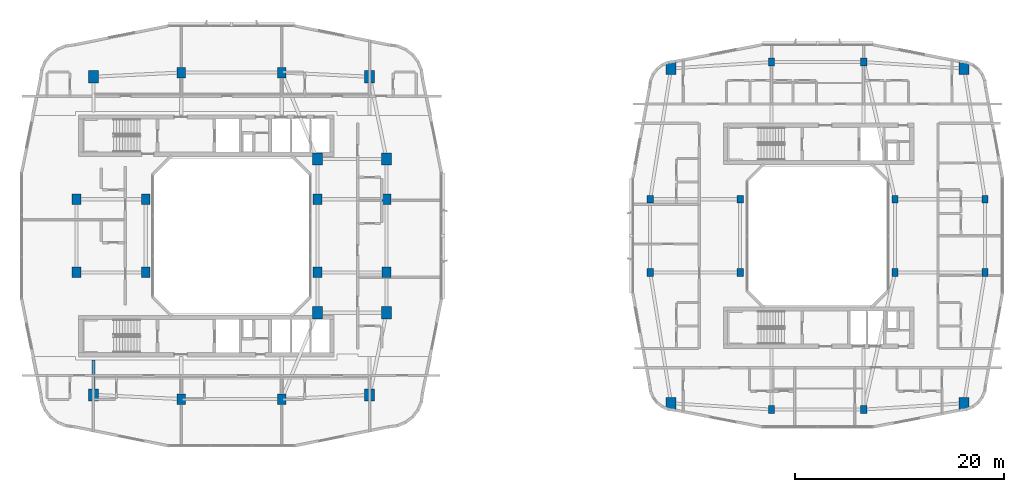
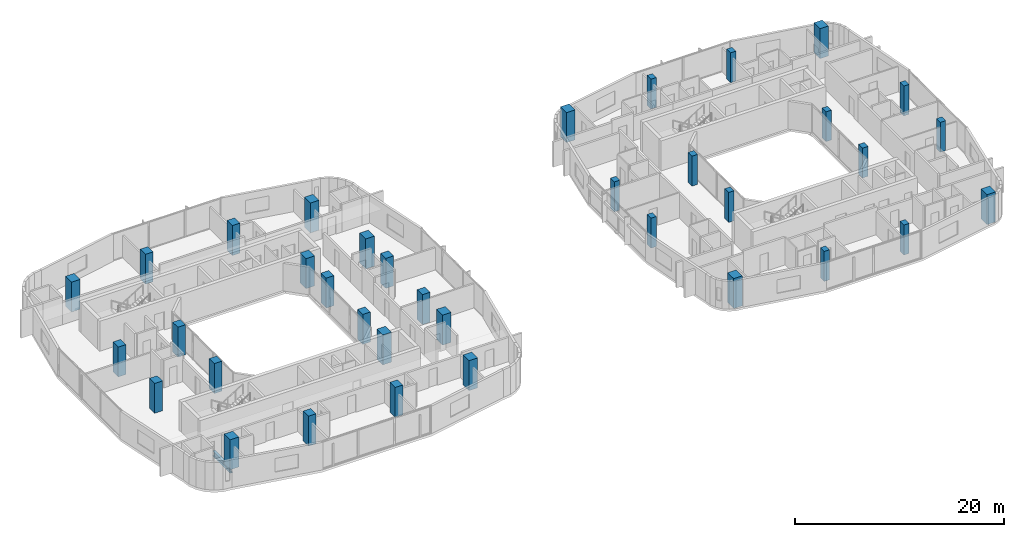
# One storey, part 1 of 26: 36 columns, 1 beam.
"""IFC4 building model written with IfcOpenShell, lengths in metres."""

import ifcopenshell
import ifcopenshell.guid

model = None  # the IFC model being written
_history = None  # IfcOwnerHistory: only IFC2X3 demands one
_inside = {}  # id of a spatial element -> (the spatial element, [elements in it])
_under = {}  # id of a project, library or spatial element -> (it, [spatial elements below it])
_declared = {}  # id of a project -> (the project, [libraries it declares])
_typed = {}  # id of a type object -> (the type object, [elements of that type])
_made_of = {}  # id of a material, layer set ... -> (it, [elements and type objects made of it])


def new_model(schema):
    """Start an empty IFC model of exactly this schema.

    Asked for "IFC4X3", IfcOpenShell would pick the latest addendum, in which some entities
    have other attributes; the version numbers below select the first issue.
    IFC2X3 requires an IfcOwnerHistory on every rooted entity: one is made here for all.
    """
    global model, _history
    if schema == "IFC4X3":
        model = ifcopenshell.file(schema_version=(4, 3, 0, 0))
    else:
        model = ifcopenshell.file(schema=schema)
    _inside.clear()
    _under.clear()
    _declared.clear()
    _typed.clear()
    _made_of.clear()
    _history = None
    if model.schema == "IFC2X3":
        org = make("IfcOrganization", Name="unknown")
        user = make(
            "IfcPersonAndOrganization",
            ThePerson=make("IfcPerson", FamilyName="unknown"),
            TheOrganization=org,
        )
        app = make(
            "IfcApplication",
            ApplicationDeveloper=org,
            Version="unknown",
            ApplicationFullName="unknown",
            ApplicationIdentifier="unknown",
        )
        _history = make(
            "IfcOwnerHistory",
            OwningUser=user,
            OwningApplication=app,
            ChangeAction="ADDED",
            CreationDate=0,
        )
    return model


def make(cls, **values):
    """One entity of the class cls with the attributes given. An attribute that is None is left unset."""
    return model.create_entity(
        cls, **{name: value for name, value in values.items() if value is not None}
    )


def rooted(cls, **values):
    """An entity with a GlobalId (a new one), such as an element, a storey or a relation."""
    return make(cls, GlobalId=ifcopenshell.guid.new(), OwnerHistory=_history, **values)


def si_unit(unit_type, name, prefix=None):
    """IfcSIUnit, for example si_unit("LENGTHUNIT", "METRE", prefix="MILLI")."""
    return make("IfcSIUnit", UnitType=unit_type, Prefix=prefix, Name=name)


def derived_unit(unit_type, elements):
    """IfcDerivedUnit: a product of units, each with its exponent."""
    return make(
        "IfcDerivedUnit",
        Elements=[
            make("IfcDerivedUnitElement", Unit=unit, Exponent=power)
            for unit, power in elements
        ],
        UnitType=unit_type,
    )


def assignment(units):
    """IfcUnitAssignment: the units of a project."""
    return None if units is None else make("IfcUnitAssignment", Units=units)


def point(xyz):
    """IfcCartesianPoint."""
    return None if xyz is None else make("IfcCartesianPoint", Coordinates=xyz)


def direction(xyz):
    """IfcDirection."""
    return None if xyz is None else make("IfcDirection", DirectionRatios=xyz)


def frame(location, z_axis=None, x_axis=None):
    """IfcAxis2Placement3D, a coordinate frame: its origin and axes. An axis left out is left unset."""
    return make(
        "IfcAxis2Placement3D",
        Location=point(location),
        Axis=direction(z_axis),
        RefDirection=direction(x_axis),
    )


def frame_2d(location, x_axis=None):
    """IfcAxis2Placement2D, a coordinate frame in the plane: its origin and x axis."""
    return make(
        "IfcAxis2Placement2D", Location=point(location), RefDirection=direction(x_axis)
    )


def origin():
    """The frame at (0, 0, 0) with its axes left unset."""
    return frame((0.0, 0.0, 0.0))


def origin_2d():
    """The frame at (0, 0) in the plane with its x axis left unset."""
    return frame_2d((0.0, 0.0))


def place(relative_to, where):
    """IfcLocalPlacement: puts the frame where relative to a parent placement (None: the world)."""
    return make(
        "IfcLocalPlacement", PlacementRelTo=relative_to, RelativePlacement=where
    )


def context(
    kind, dimensions, precision=None, world=None, true_north=None, identifier=None
):
    """IfcGeometricRepresentationContext, for example the 3D "Model" context."""
    return make(
        "IfcGeometricRepresentationContext",
        ContextIdentifier=identifier,
        ContextType=kind,
        CoordinateSpaceDimension=dimensions,
        Precision=precision,
        WorldCoordinateSystem=world,
        TrueNorth=true_north,
    )


def subcontext(parent, identifier, kind, view, scale=None):
    """IfcGeometricRepresentationSubContext, for example "Body" below "Model"."""
    return make(
        "IfcGeometricRepresentationSubContext",
        ContextIdentifier=identifier,
        ContextType=kind,
        ParentContext=parent,
        TargetScale=scale,
        TargetView=view,
    )


def project(units=None, contexts=None):
    """IfcProject with its units and contexts."""
    return rooted(
        "IfcProject",
        Name="project",
        RepresentationContexts=contexts,
        UnitsInContext=assignment(units),
    )


def spatial(cls, under=None, at=None, **own):
    """A site, building, storey or space (cls), placed at a placement, below another one or the project."""
    s = rooted(cls, ObjectPlacement=at, **own)
    if under is not None:
        _under.setdefault(under.id(), (under, []))[1].append(s)
    return s


def profile(cls, at=None, kind="AREA", **sizes):
    """A parametric profile (cls). Its sizes go by their IFC names, for example OverallWidth=200.0."""
    return make(cls, ProfileType=kind, Position=at, **sizes)


def rectangle(**sizes):
    """IfcRectangleProfileDef."""
    return profile("IfcRectangleProfileDef", **sizes)


def i_section(**sizes):
    """IfcIShapeProfileDef."""
    return profile("IfcIShapeProfileDef", **sizes)


def extrude(swept, where, along, depth):
    """IfcExtrudedAreaSolid: the profile swept, set in the frame where, extruded along a direction by depth."""
    return make(
        "IfcExtrudedAreaSolid",
        SweptArea=swept,
        Position=where,
        ExtrudedDirection=direction(along),
        Depth=depth,
    )


def shape(context_of_items, identifier, shape_type, items):
    """IfcShapeRepresentation: the items that make up one representation, for example the "Body"."""
    return make(
        "IfcShapeRepresentation",
        ContextOfItems=context_of_items,
        RepresentationIdentifier=identifier,
        RepresentationType=shape_type,
        Items=items,
    )


def material(Name=None, Category=None):
    """IfcMaterial."""
    return make("IfcMaterial", Name=Name, Category=Category)


def material_profile(
    of_material, cross_section, Name=None, Category=None, Priority=None
):
    """IfcMaterialProfile: a cross section and its material."""
    return make(
        "IfcMaterialProfile",
        Name=Name,
        Material=of_material,
        Profile=cross_section,
        Priority=Priority,
        Category=Category,
    )


def profile_set(profiles, Name=None, composite=None):
    """IfcMaterialProfileSet."""
    return make(
        "IfcMaterialProfileSet",
        Name=Name,
        MaterialProfiles=profiles,
        CompositeProfile=composite,
    )


def made_of(thing, what):
    """Note that an element or type object is made of a material, layer set ...; save() writes the relation."""
    if what is not None:
        _made_of.setdefault(what.id(), (what, []))[1].append(thing)
    return thing


def type_object(cls, material=None, **own):
    """A type object (cls), such as IfcWallType, which elements share."""
    return made_of(rooted(cls, **own), material)


def element(
    cls,
    number,
    at=None,
    inside=None,
    cuts=None,
    type_object=None,
    material=None,
    context=None,
    identifier="Body",
    shape_type=None,
    held_by="IfcProductDefinitionShape",
    body=None,
    shapes=None,
    **own,
):
    """One element of the class cls, such as IfcWall. Its Tag is "e" and its number.

    at: its placement. inside: the storey or other place that contains it. cuts: it is an
    opening in that element (IfcRelVoidsElement). A single representation is given by context,
    identifier, shape_type and body (its items); several are given by shapes. held_by: the class
    of the entity that holds the representations. save() writes the other relations.
    """
    e = rooted(cls, Tag="e%d" % number, ObjectPlacement=at, **own)
    if body is not None:
        shapes = [shape(context, identifier, shape_type, body)]
    if shapes is not None:
        e.Representation = make(held_by, Representations=shapes)
    if inside is not None:
        _inside.setdefault(inside.id(), (inside, []))[1].append(e)
    if cuts is not None:
        rooted(
            "IfcRelVoidsElement", RelatingBuildingElement=cuts, RelatedOpeningElement=e
        )
    if type_object is not None:
        _typed.setdefault(type_object.id(), (type_object, []))[1].append(e)
    return made_of(e, material)


def aggregate(whole, parts):
    """IfcRelAggregates: a whole, such as a stair, and the parts it consists of."""
    return rooted("IfcRelAggregates", RelatingObject=whole, RelatedObjects=parts)


def save(model, path):
    """Write the relations noted so far, then the file.

    IfcRelAggregates (storeys below a building ...), IfcRelContainedInSpatialStructure (elements
    in a storey), IfcRelDefinesByType, IfcRelAssociatesMaterial and IfcRelDeclares: one each for
    every whole, place, type object, material and project.
    """
    for whole, parts in _under.values():
        aggregate(whole, parts)
    for where, things in _inside.values():
        rooted(
            "IfcRelContainedInSpatialStructure",
            RelatedElements=things,
            RelatingStructure=where,
        )
    for kind, things in _typed.values():
        rooted("IfcRelDefinesByType", RelatedObjects=things, RelatingType=kind)
    for what, things in _made_of.values():
        rooted("IfcRelAssociatesMaterial", RelatedObjects=things, RelatingMaterial=what)
    for by, libraries in _declared.values():
        rooted("IfcRelDeclares", RelatingContext=by, RelatedDefinitions=libraries)
    model.write(path)


model = new_model("IFC4")

# Units and contexts
model_context = context("Model", 3, precision=1e-05, world=origin(), true_north=direction((0.0, 1.0)))
body_context = subcontext(model_context, "Body", "Model", "MODEL_VIEW")
ifc_project = project(units=[si_unit("LENGTHUNIT", "METRE"), si_unit("AREAUNIT", "SQUARE_METRE"), si_unit("VOLUMEUNIT", "CUBIC_METRE"), si_unit("PLANEANGLEUNIT", "RADIAN"), si_unit("MASSUNIT", "GRAM", prefix="KILO"), derived_unit("THERMALTRANSMITTANCEUNIT", [(si_unit("POWERUNIT", "WATT"), 1), (si_unit("LENGTHUNIT", "METRE"), -2), (si_unit("THERMODYNAMICTEMPERATUREUNIT", "KELVIN"), -1)])], contexts=[model_context])

# Site, building, storey
site_placement = place(None, origin())
site = spatial("IfcSite", under=ifc_project, at=site_placement, CompositionType="ELEMENT")
building_placement = place(site_placement, origin())
building = spatial("IfcBuilding", under=site, at=building_placement, Name="Kivonza Crest Hotel", CompositionType="ELEMENT")
storey_placement = place(building_placement, frame((0.0, 0.0, 102.0)))
storey = spatial("IfcBuildingStorey", under=building, at=storey_placement, Name="L27", CompositionType="ELEMENT", Elevation=102.0)

# Columns
ifc_material_1 = material(Name="Concrete C50/60", Category="concrete")
ifc_material_profile_1 = material_profile(ifc_material_1, rectangle(XDim=0.85009765625, YDim=1.0, at=origin_2d()), Name="RC 1000x850")
ifc_profile_set_1 = profile_set([ifc_material_profile_1], Name="Concrete C50/60")
column_type_1 = type_object("IfcColumnType", Name="CL-RC-1000x850", PredefinedType="COLUMN", material=ifc_profile_set_1)
for number, where, z_axis, x_axis, name in (
    (1, (16.199951171875, 9.39990234375, 0.0), (0.0, 0.0, 1.0), (1.0, 0.0, 0.0), "Tower T1 L27 column S1"),
    (2, (25.800048828125, 9.39990234375, 0.0), (0.0, 0.0, 1.0), (1.0, 0.0, 0.0), "Tower T1 L27 column S2"),
    (3, (16.199951171875, 40.60009765625, 0.0), (0.0, 0.0, 1.0), (1.0, 0.0, 0.0), "Tower T1 L27 column N1"),
    (4, (25.800048828125, 40.60009765625, 0.0), (0.0, 0.0, 1.0), (1.0, 0.0, 0.0), "Tower T1 L27 column N2"),
    (5, (6.199951171875, 21.5, 0.0), (0.0, 0.0, 1.0), (1.0, 0.0, 0.0), "Tower T1 L27 column W1"),
    (6, (6.199951171875, 28.5, 0.0), (0.0, 0.0, 1.0), (1.0, 0.0, 0.0), "Tower T1 L27 column W2"),
    (7, (35.800048828125, 21.5, 0.0), (0.0, 0.0, 1.0), (1.0, 0.0, 0.0), "Tower T1 L27 column E1"),
    (8, (35.800048828125, 28.5, 0.0), (0.0, 0.0, 1.0), (1.0, 0.0, 0.0), "Tower T1 L27 column E2"),
    (9, (12.800048828125, 21.5, 0.0), (0.0, 0.0, 1.0), (1.0, 0.0, 0.0), "Tower T1 L27 column WL1"),
    (10, (12.800048828125, 28.5, 0.0), (0.0, 0.0, 1.0), (1.0, 0.0, 0.0), "Tower T1 L27 column WL2"),
    (11, (29.199951171875, 21.5, 0.0), (0.0, 0.0, 1.0), (1.0, 0.0, 0.0), "Tower T1 L27 column WR1"),
    (12, (29.199951171875, 28.5, 0.0), (0.0, 0.0, 1.0), (1.0, 0.0, 0.0), "Tower T1 L27 column WR2"),
):
    element("IfcColumn", number, at=place(storey_placement, frame(where, z_axis=z_axis, x_axis=x_axis)), inside=storey, type_object=column_type_1, Name=name, PredefinedType="COLUMN", context=body_context, shape_type="SweptSolid", body=[
        extrude(rectangle(XDim=0.85009765625, YDim=1.0, at=origin_2d()), origin(), (0.0, 0.0, 1.0), 3.5),
    ])
ifc_material_2 = material(Name="Concrete C60/75", Category="concrete")
ifc_material_profile_2 = material_profile(ifc_material_2, rectangle(XDim=0.949951171875, YDim=1.14990234375, at=origin_2d()), Name="RC 1150x950")
ifc_profile_set_2 = profile_set([ifc_material_profile_2], Name="Concrete C60/75")
column_type_2 = type_object("IfcColumnType", Name="CL-RC-1150x950", PredefinedType="COLUMN", material=ifc_profile_set_2)
for number, where, z_axis, x_axis, name in (
    (13, (7.800048828125, 9.800048828125, 0.0), (0.0, 0.0, 1.0), (1.0, 0.0, 0.0), "Tower T1 L27 column SW"),
    (14, (34.199951171875, 9.800048828125, 0.0), (0.0, 0.0, 1.0), (1.0, 0.0, 0.0), "Tower T1 L27 column SE"),
    (15, (34.199951171875, 40.199951171875, 0.0), (0.0, 0.0, 1.0), (1.0, 0.0, 0.0), "Tower T1 L27 column NE"),
    (16, (7.800048828125, 40.199951171875, 0.0), (0.0, 0.0, 1.0), (1.0, 0.0, 0.0), "Tower T1 L27 column NW"),
    (17, (35.800048828125, 17.64990234375, 0.0), (0.0, 0.0, 1.0), (1.0, 0.0, 0.0), "Tower T1 L27 column PSE"),
    (18, (35.800048828125, 32.35009765625, 0.0), (0.0, 0.0, 1.0), (1.0, 0.0, 0.0), "Tower T1 L27 column PNE"),
    (19, (29.199951171875, 17.64990234375, 0.0), (0.0, 0.0, 1.0), (1.0, 0.0, 0.0), "Tower T1 L27 column TSE"),
    (20, (29.199951171875, 32.35009765625, 0.0), (0.0, 0.0, 1.0), (1.0, 0.0, 0.0), "Tower T1 L27 column TNE"),
    (21, (63.0, 9.0, 0.0), (0.0, 0.0, 1.0), (1.0, 0.0, 0.0), "Companion Tower T2 L27 column SW"),
    (22, (91.0, 9.0, 0.0), (0.0, 0.0, 1.0), (1.0, 0.0, 0.0), "Companion Tower T2 L27 column SE"),
    (23, (91.0, 41.0, 0.0), (0.0, 0.0, 1.0), (1.0, 0.0, 0.0), "Companion Tower T2 L27 column NE"),
    (24, (63.0, 41.0, 0.0), (0.0, 0.0, 1.0), (1.0, 0.0, 0.0), "Companion Tower T2 L27 column NW"),
):
    element("IfcColumn", number, at=place(storey_placement, frame(where, z_axis=z_axis, x_axis=x_axis)), inside=storey, type_object=column_type_2, Name=name, PredefinedType="COLUMN", context=body_context, shape_type="SweptSolid", body=[
        extrude(rectangle(XDim=0.949951171875, YDim=1.14990234375, at=origin_2d()), origin(), (0.0, 0.0, 1.0), 3.5),
    ])
ifc_material_profile_3 = material_profile(ifc_material_1, rectangle(XDim=0.60009765625, YDim=0.75, at=origin_2d()), Name="RC 750x600")
ifc_profile_set_3 = profile_set([ifc_material_profile_3], Name="Concrete C50/60")
column_type_3 = type_object("IfcColumnType", Name="CL-RC-750x600", PredefinedType="COLUMN", material=ifc_profile_set_3)
for number, where, z_axis, x_axis, name in (
    (25, (72.60009765625, 8.39990234375, 0.0), (0.0, 0.0, 1.0), (1.0, 0.0, 0.0), "Companion Tower T2 L27 column S1"),
    (26, (81.39990234375, 8.39990234375, 0.0), (0.0, 0.0, 1.0), (1.0, 0.0, 0.0), "Companion Tower T2 L27 column S2"),
    (27, (72.60009765625, 41.60009765625, 0.0), (0.0, 0.0, 1.0), (1.0, 0.0, 0.0), "Companion Tower T2 L27 column N1"),
    (28, (81.39990234375, 41.60009765625, 0.0), (0.0, 0.0, 1.0), (1.0, 0.0, 0.0), "Companion Tower T2 L27 column N2"),
    (29, (61.0, 21.5, 0.0), (0.0, 0.0, 1.0), (1.0, 0.0, 0.0), "Companion Tower T2 L27 column W1"),
    (30, (61.0, 28.5, 0.0), (0.0, 0.0, 1.0), (1.0, 0.0, 0.0), "Companion Tower T2 L27 column W2"),
    (31, (93.0, 21.5, 0.0), (0.0, 0.0, 1.0), (1.0, 0.0, 0.0), "Companion Tower T2 L27 column E1"),
    (32, (93.0, 28.5, 0.0), (0.0, 0.0, 1.0), (1.0, 0.0, 0.0), "Companion Tower T2 L27 column E2"),
    (33, (69.60009765625, 21.5, 0.0), (0.0, 0.0, 1.0), (1.0, 0.0, 0.0), "Companion Tower T2 L27 column WL1"),
    (34, (69.60009765625, 28.5, 0.0), (0.0, 0.0, 1.0), (1.0, 0.0, 0.0), "Companion Tower T2 L27 column WL2"),
    (35, (84.39990234375, 21.5, 0.0), (0.0, 0.0, 1.0), (1.0, 0.0, 0.0), "Companion Tower T2 L27 column WR1"),
    (36, (84.39990234375, 28.5, 0.0), (0.0, 0.0, 1.0), (1.0, 0.0, 0.0), "Companion Tower T2 L27 column WR2"),
):
    element("IfcColumn", number, at=place(storey_placement, frame(where, z_axis=z_axis, x_axis=x_axis)), inside=storey, type_object=column_type_3, Name=name, PredefinedType="COLUMN", context=body_context, shape_type="SweptSolid", body=[
        extrude(rectangle(XDim=0.60009765625, YDim=0.75, at=origin_2d()), origin(), (0.0, 0.0, 1.0), 3.5),
    ])

# Beam
ifc_material_3 = material(Name="Steel S355", Category="steel")
ifc_material_profile_4 = material_profile(ifc_material_3, i_section(OverallWidth=0.300048828125, OverallDepth=0.60009765625, WebThickness=0.015380859375, FlangeThickness=0.030029296875, FilletRadius=0.027099609375, at=origin_2d()), Name="HEB 600")
ifc_profile_set_4 = profile_set([ifc_material_profile_4], Name="Steel S355")
beam_type = type_object("IfcBeamType", Name="BM-HEB600", PredefinedType="BEAM", material=ifc_profile_set_4)
beam_placement = place(storey_placement, frame((7.800048828125, 9.800048828125, -0.580078125), z_axis=(0.0, 1.0, 0.0), x_axis=(-1.0, 0.0, 0.0)))
element("IfcBeam", 37, at=beam_placement, inside=storey, type_object=beam_type, Name="Tower T1 L27 radial core girder RSW", PredefinedType="BEAM", context=body_context, shape_type="SweptSolid", body=[
    extrude(i_section(OverallWidth=0.300048828125, OverallDepth=0.60009765625, WebThickness=0.015380859375, FlangeThickness=0.030029296875, FilletRadius=0.027099609375, at=origin_2d()), origin(), (0.0, 0.0, 1.0), 3.349853515625),
])

save(model, "model.ifc")
